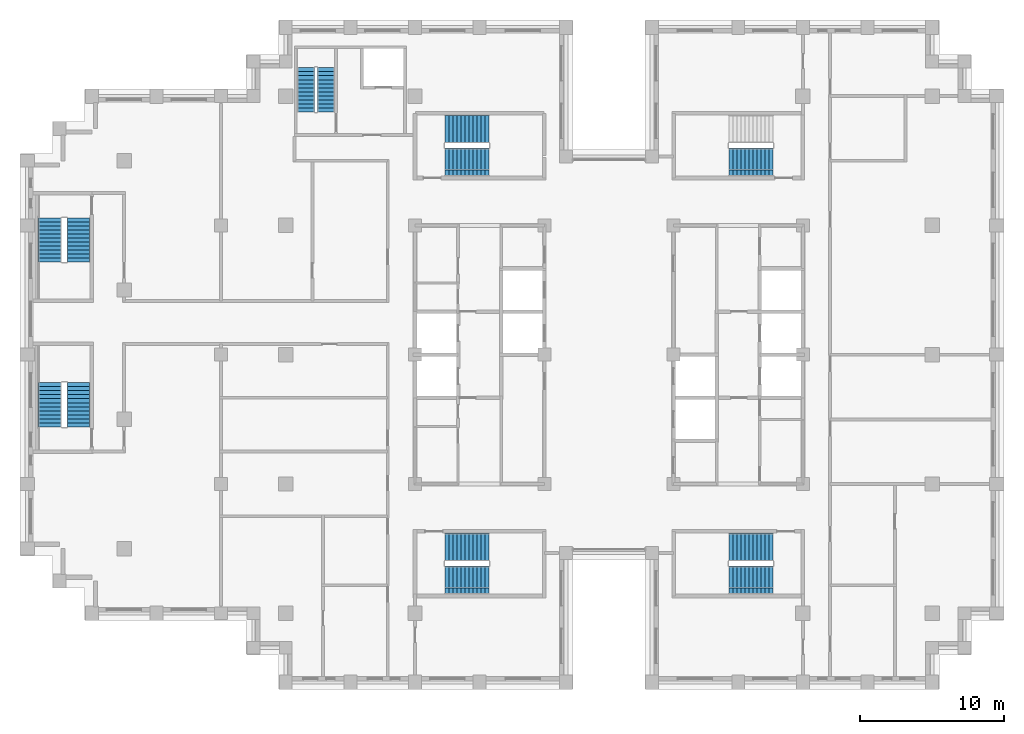
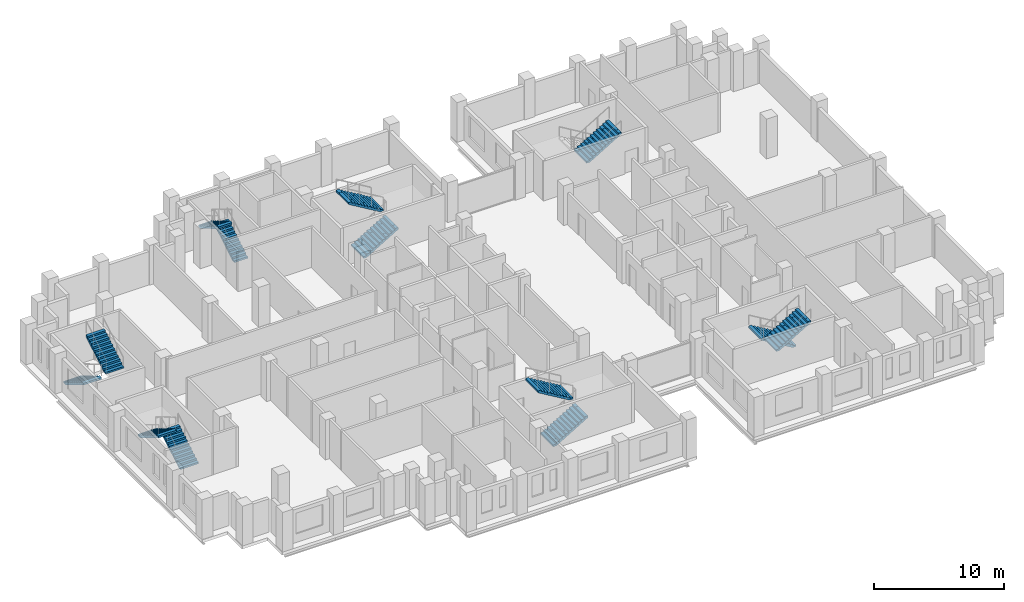
# One storey, part 12 of 15: 13 stair flights, 7 elements without a shape of their own.
"""IFC4 building model written with IfcOpenShell, lengths in metres."""

from ifc_helpers import new_model, si_unit, direction, frame, origin, place, context, subcontext, project, spatial, polyline, outline, extrude, material, type_object, element, aggregate, save


model = new_model("IFC4")

# Units and contexts
model_context = context("Model", 3, precision=1e-05, world=origin(), true_north=direction((0.0, 1.0)))
body_context = subcontext(model_context, "Body", "Model", "MODEL_VIEW")
ifc_project = project(units=[si_unit("LENGTHUNIT", "METRE"), si_unit("AREAUNIT", "SQUARE_METRE"), si_unit("VOLUMEUNIT", "CUBIC_METRE"), si_unit("PLANEANGLEUNIT", "RADIAN"), si_unit("MASSUNIT", "GRAM", prefix="KILO")], contexts=[model_context])

# Site, building, storey
site_placement = place(None, origin())
site = spatial("IfcSite", under=ifc_project, at=site_placement, CompositionType="ELEMENT")
building_placement = place(site_placement, origin())
building = spatial("IfcBuilding", under=site, at=building_placement, Name="Corbelhall Arena Tower", CompositionType="ELEMENT")
storey_placement = place(building_placement, frame((0.0, 0.0, 212.0)))
storey = spatial("IfcBuildingStorey", under=building, at=storey_placement, Name="L44", CompositionType="ELEMENT", Elevation=212.0)

# Stair, stair flights
ifc_material = material(Name="Concrete C40/50", Category="concrete")
stair_type = type_object("IfcStairType", Name="IN-ST-TOWER", PredefinedType="HALF_TURN_STAIR", material=ifc_material)
stair_1_placement = place(storey_placement, origin())
stair_1 = element("IfcStair", 1, at=stair_1_placement, inside=storey, type_object=stair_type, Name="L44 Exit stair ST1", PredefinedType="HALF_TURN_STAIR")
stair_flight_type = type_object("IfcStairFlightType", Name="IN-SFL-RC", PredefinedType="STRAIGHT", material=ifc_material)
stair_flight_1_placement = place(storey_placement, frame((-11.425048828125, 13.39990234375, 0.0), z_axis=(0.0, 0.0, 1.0), x_axis=(1.0, 0.0, 0.0)))
stair_flight_1 = element("IfcStairFlight", 2, at=stair_flight_1_placement, type_object=stair_flight_type, Name="ST1 flight 1", NumberOfRisers=12, NumberOfTreads=11, PredefinedType="STRAIGHT", RiserHeight=0.166666667, TreadLength=0.28, context=body_context, shape_type="SweptSolid", body=[
    extrude(outline(polyline([(0.0, 0.0), (0.0, 0.166748046875), (0.280029296875, 0.166748046875), (0.280029296875, 0.333251953125), (0.56005859375, 0.333251953125), (0.56005859375, 0.5), (0.840087890625, 0.5), (0.840087890625, 0.666748046875), (1.1201171875, 0.666748046875), (1.1201171875, 0.833251953125), (1.39990234375, 0.833251953125), (1.39990234375, 1.0), (1.679931640625, 1.0), (1.679931640625, 1.166748046875), (1.9599609375, 1.166748046875), (1.9599609375, 1.333251953125), (2.239990234375, 1.333251953125), (2.239990234375, 1.5), (2.52001953125, 1.5), (2.52001953125, 1.666748046875), (2.800048828125, 1.666748046875), (2.800048828125, 1.833251953125), (3.080078125, 1.833251953125), (3.080078125, 2.0), (3.080078125, 1.658935546875), (0.29296875, 0.0), (0.0, 0.0)])), frame((0.0, 0.97509765625, 0.0), z_axis=(0.0, -1.0, 0.0), x_axis=(1.0, 0.0, 0.0)), (0.0, 0.0, 1.0), 0.449951171875),
    extrude(outline(polyline([(0.0, 0.0), (0.0, 0.166748046875), (0.280029296875, 0.166748046875), (0.280029296875, 0.333251953125), (0.56005859375, 0.333251953125), (0.56005859375, 0.5), (0.840087890625, 0.5), (0.840087890625, 0.666748046875), (1.1201171875, 0.666748046875), (1.1201171875, 0.833251953125), (1.39990234375, 0.833251953125), (1.39990234375, 1.0), (1.679931640625, 1.0), (1.679931640625, 1.166748046875), (1.9599609375, 1.166748046875), (1.9599609375, 1.333251953125), (2.239990234375, 1.333251953125), (2.239990234375, 1.5), (2.52001953125, 1.5), (2.52001953125, 1.666748046875), (2.800048828125, 1.666748046875), (2.800048828125, 1.833251953125), (3.080078125, 1.833251953125), (3.080078125, 2.0), (3.080078125, 1.658935546875), (0.29296875, 0.0), (0.0, 0.0)])), frame((0.0, 0.52099609375, 0.0), z_axis=(0.0, -1.0, 0.0), x_axis=(1.0, 0.0, 0.0)), (0.0, 0.0, 1.0), 1.0419921875),
    extrude(outline(polyline([(0.0, 0.0), (0.0, 0.166748046875), (0.280029296875, 0.166748046875), (0.280029296875, 0.333251953125), (0.56005859375, 0.333251953125), (0.56005859375, 0.5), (0.840087890625, 0.5), (0.840087890625, 0.666748046875), (1.1201171875, 0.666748046875), (1.1201171875, 0.833251953125), (1.39990234375, 0.833251953125), (1.39990234375, 1.0), (1.679931640625, 1.0), (1.679931640625, 1.166748046875), (1.9599609375, 1.166748046875), (1.9599609375, 1.333251953125), (2.239990234375, 1.333251953125), (2.239990234375, 1.5), (2.52001953125, 1.5), (2.52001953125, 1.666748046875), (2.800048828125, 1.666748046875), (2.800048828125, 1.833251953125), (3.080078125, 1.833251953125), (3.080078125, 2.0), (3.080078125, 1.658935546875), (0.29296875, 0.0), (0.0, 0.0)])), frame((0.0, -0.52490234375, 0.0), z_axis=(0.0, -1.0, 0.0), x_axis=(1.0, 0.0, 0.0)), (0.0, 0.0, 1.0), 0.449951171875),
])
stair_flight_2_placement = place(storey_placement, frame((-8.344970703125, 15.699951171875, 2.0), z_axis=(0.0, 0.0, 1.0), x_axis=(-1.0, 0.0, 0.0)))
stair_flight_2 = element("IfcStairFlight", 3, at=stair_flight_2_placement, type_object=stair_flight_type, Name="ST1 flight 2", NumberOfRisers=12, NumberOfTreads=11, PredefinedType="STRAIGHT", RiserHeight=0.166666667, TreadLength=0.28, context=body_context, shape_type="SweptSolid", body=[
    extrude(outline(polyline([(0.0, 0.0), (0.0, 0.166748046875), (0.280029296875, 0.166748046875), (0.280029296875, 0.333251953125), (0.56005859375, 0.333251953125), (0.56005859375, 0.5), (0.840087890625, 0.5), (0.840087890625, 0.666748046875), (1.1201171875, 0.666748046875), (1.1201171875, 0.833251953125), (1.39990234375, 0.833251953125), (1.39990234375, 1.0), (1.679931640625, 1.0), (1.679931640625, 1.166748046875), (1.9599609375, 1.166748046875), (1.9599609375, 1.333251953125), (2.239990234375, 1.333251953125), (2.239990234375, 1.5), (2.52001953125, 1.5), (2.52001953125, 1.666748046875), (2.800048828125, 1.666748046875), (2.800048828125, 1.833251953125), (3.080078125, 1.833251953125), (3.080078125, 2.0), (3.080078125, 1.658935546875), (0.29296875, 0.0), (0.0, 0.0)])), frame((0.0, 0.97509765625, 0.0), z_axis=(0.0, -1.0, 0.0), x_axis=(1.0, 0.0, 0.0)), (0.0, 0.0, 1.0), 0.449951171875),
    extrude(outline(polyline([(0.0, 0.0), (0.0, 0.166748046875), (0.280029296875, 0.166748046875), (0.280029296875, 0.333251953125), (0.56005859375, 0.333251953125), (0.56005859375, 0.5), (0.840087890625, 0.5), (0.840087890625, 0.666748046875), (1.1201171875, 0.666748046875), (1.1201171875, 0.833251953125), (1.39990234375, 0.833251953125), (1.39990234375, 1.0), (1.679931640625, 1.0), (1.679931640625, 1.166748046875), (1.9599609375, 1.166748046875), (1.9599609375, 1.333251953125), (2.239990234375, 1.333251953125), (2.239990234375, 1.5), (2.52001953125, 1.5), (2.52001953125, 1.666748046875), (2.800048828125, 1.666748046875), (2.800048828125, 1.833251953125), (3.080078125, 1.833251953125), (3.080078125, 2.0), (3.080078125, 1.658935546875), (0.29296875, 0.0), (0.0, 0.0)])), frame((0.0, 0.52099609375, 0.0), z_axis=(0.0, -1.0, 0.0), x_axis=(1.0, 0.0, 0.0)), (0.0, 0.0, 1.0), 1.0419921875),
    extrude(outline(polyline([(0.0, 0.0), (0.0, 0.166748046875), (0.280029296875, 0.166748046875), (0.280029296875, 0.333251953125), (0.56005859375, 0.333251953125), (0.56005859375, 0.5), (0.840087890625, 0.5), (0.840087890625, 0.666748046875), (1.1201171875, 0.666748046875), (1.1201171875, 0.833251953125), (1.39990234375, 0.833251953125), (1.39990234375, 1.0), (1.679931640625, 1.0), (1.679931640625, 1.166748046875), (1.9599609375, 1.166748046875), (1.9599609375, 1.333251953125), (2.239990234375, 1.333251953125), (2.239990234375, 1.5), (2.52001953125, 1.5), (2.52001953125, 1.666748046875), (2.800048828125, 1.666748046875), (2.800048828125, 1.833251953125), (3.080078125, 1.833251953125), (3.080078125, 2.0), (3.080078125, 1.658935546875), (0.29296875, 0.0), (0.0, 0.0)])), frame((0.0, -0.52490234375, 0.0), z_axis=(0.0, -1.0, 0.0), x_axis=(1.0, 0.0, 0.0)), (0.0, 0.0, 1.0), 0.449951171875),
])
aggregate(stair_1, [stair_flight_1, stair_flight_2])

stair_2_placement = place(storey_placement, origin())
stair_2 = element("IfcStair", 4, at=stair_2_placement, inside=storey, type_object=stair_type, Name="L44 Exit stair ST2", PredefinedType="HALF_TURN_STAIR")
stair_flight_3_placement = place(storey_placement, frame((-11.425048828125, -15.699951171875, 0.0), z_axis=(0.0, 0.0, 1.0), x_axis=(1.0, 0.0, 0.0)))
stair_flight_3 = element("IfcStairFlight", 5, at=stair_flight_3_placement, type_object=stair_flight_type, Name="ST2 flight 1", NumberOfRisers=12, NumberOfTreads=11, PredefinedType="STRAIGHT", RiserHeight=0.166666667, TreadLength=0.28, context=body_context, shape_type="SweptSolid", body=[
    extrude(outline(polyline([(0.0, 0.0), (0.0, 0.166748046875), (0.280029296875, 0.166748046875), (0.280029296875, 0.333251953125), (0.56005859375, 0.333251953125), (0.56005859375, 0.5), (0.840087890625, 0.5), (0.840087890625, 0.666748046875), (1.1201171875, 0.666748046875), (1.1201171875, 0.833251953125), (1.39990234375, 0.833251953125), (1.39990234375, 1.0), (1.679931640625, 1.0), (1.679931640625, 1.166748046875), (1.9599609375, 1.166748046875), (1.9599609375, 1.333251953125), (2.239990234375, 1.333251953125), (2.239990234375, 1.5), (2.52001953125, 1.5), (2.52001953125, 1.666748046875), (2.800048828125, 1.666748046875), (2.800048828125, 1.833251953125), (3.080078125, 1.833251953125), (3.080078125, 2.0), (3.080078125, 1.658935546875), (0.29296875, 0.0), (0.0, 0.0)])), frame((0.0, 0.97509765625, 0.0), z_axis=(0.0, -1.0, 0.0), x_axis=(1.0, 0.0, 0.0)), (0.0, 0.0, 1.0), 0.449951171875),
    extrude(outline(polyline([(0.0, 0.0), (0.0, 0.166748046875), (0.280029296875, 0.166748046875), (0.280029296875, 0.333251953125), (0.56005859375, 0.333251953125), (0.56005859375, 0.5), (0.840087890625, 0.5), (0.840087890625, 0.666748046875), (1.1201171875, 0.666748046875), (1.1201171875, 0.833251953125), (1.39990234375, 0.833251953125), (1.39990234375, 1.0), (1.679931640625, 1.0), (1.679931640625, 1.166748046875), (1.9599609375, 1.166748046875), (1.9599609375, 1.333251953125), (2.239990234375, 1.333251953125), (2.239990234375, 1.5), (2.52001953125, 1.5), (2.52001953125, 1.666748046875), (2.800048828125, 1.666748046875), (2.800048828125, 1.833251953125), (3.080078125, 1.833251953125), (3.080078125, 2.0), (3.080078125, 1.658935546875), (0.29296875, 0.0), (0.0, 0.0)])), frame((0.0, 0.52099609375, 0.0), z_axis=(0.0, -1.0, 0.0), x_axis=(1.0, 0.0, 0.0)), (0.0, 0.0, 1.0), 1.0419921875),
    extrude(outline(polyline([(0.0, 0.0), (0.0, 0.166748046875), (0.280029296875, 0.166748046875), (0.280029296875, 0.333251953125), (0.56005859375, 0.333251953125), (0.56005859375, 0.5), (0.840087890625, 0.5), (0.840087890625, 0.666748046875), (1.1201171875, 0.666748046875), (1.1201171875, 0.833251953125), (1.39990234375, 0.833251953125), (1.39990234375, 1.0), (1.679931640625, 1.0), (1.679931640625, 1.166748046875), (1.9599609375, 1.166748046875), (1.9599609375, 1.333251953125), (2.239990234375, 1.333251953125), (2.239990234375, 1.5), (2.52001953125, 1.5), (2.52001953125, 1.666748046875), (2.800048828125, 1.666748046875), (2.800048828125, 1.833251953125), (3.080078125, 1.833251953125), (3.080078125, 2.0), (3.080078125, 1.658935546875), (0.29296875, 0.0), (0.0, 0.0)])), frame((0.0, -0.52490234375, 0.0), z_axis=(0.0, -1.0, 0.0), x_axis=(1.0, 0.0, 0.0)), (0.0, 0.0, 1.0), 0.449951171875),
])
stair_flight_4_placement = place(storey_placement, frame((-8.344970703125, -13.39990234375, 2.0), z_axis=(0.0, 0.0, 1.0), x_axis=(-1.0, 0.0, 0.0)))
stair_flight_4 = element("IfcStairFlight", 6, at=stair_flight_4_placement, type_object=stair_flight_type, Name="ST2 flight 2", NumberOfRisers=12, NumberOfTreads=11, PredefinedType="STRAIGHT", RiserHeight=0.166666667, TreadLength=0.28, context=body_context, shape_type="SweptSolid", body=[
    extrude(outline(polyline([(0.0, 0.0), (0.0, 0.166748046875), (0.280029296875, 0.166748046875), (0.280029296875, 0.333251953125), (0.56005859375, 0.333251953125), (0.56005859375, 0.5), (0.840087890625, 0.5), (0.840087890625, 0.666748046875), (1.1201171875, 0.666748046875), (1.1201171875, 0.833251953125), (1.39990234375, 0.833251953125), (1.39990234375, 1.0), (1.679931640625, 1.0), (1.679931640625, 1.166748046875), (1.9599609375, 1.166748046875), (1.9599609375, 1.333251953125), (2.239990234375, 1.333251953125), (2.239990234375, 1.5), (2.52001953125, 1.5), (2.52001953125, 1.666748046875), (2.800048828125, 1.666748046875), (2.800048828125, 1.833251953125), (3.080078125, 1.833251953125), (3.080078125, 2.0), (3.080078125, 1.658935546875), (0.29296875, 0.0), (0.0, 0.0)])), frame((0.0, 0.97509765625, 0.0), z_axis=(0.0, -1.0, 0.0), x_axis=(1.0, 0.0, 0.0)), (0.0, 0.0, 1.0), 0.449951171875),
    extrude(outline(polyline([(0.0, 0.0), (0.0, 0.166748046875), (0.280029296875, 0.166748046875), (0.280029296875, 0.333251953125), (0.56005859375, 0.333251953125), (0.56005859375, 0.5), (0.840087890625, 0.5), (0.840087890625, 0.666748046875), (1.1201171875, 0.666748046875), (1.1201171875, 0.833251953125), (1.39990234375, 0.833251953125), (1.39990234375, 1.0), (1.679931640625, 1.0), (1.679931640625, 1.166748046875), (1.9599609375, 1.166748046875), (1.9599609375, 1.333251953125), (2.239990234375, 1.333251953125), (2.239990234375, 1.5), (2.52001953125, 1.5), (2.52001953125, 1.666748046875), (2.800048828125, 1.666748046875), (2.800048828125, 1.833251953125), (3.080078125, 1.833251953125), (3.080078125, 2.0), (3.080078125, 1.658935546875), (0.29296875, 0.0), (0.0, 0.0)])), frame((0.0, 0.52099609375, 0.0), z_axis=(0.0, -1.0, 0.0), x_axis=(1.0, 0.0, 0.0)), (0.0, 0.0, 1.0), 1.0419921875),
    extrude(outline(polyline([(0.0, 0.0), (0.0, 0.166748046875), (0.280029296875, 0.166748046875), (0.280029296875, 0.333251953125), (0.56005859375, 0.333251953125), (0.56005859375, 0.5), (0.840087890625, 0.5), (0.840087890625, 0.666748046875), (1.1201171875, 0.666748046875), (1.1201171875, 0.833251953125), (1.39990234375, 0.833251953125), (1.39990234375, 1.0), (1.679931640625, 1.0), (1.679931640625, 1.166748046875), (1.9599609375, 1.166748046875), (1.9599609375, 1.333251953125), (2.239990234375, 1.333251953125), (2.239990234375, 1.5), (2.52001953125, 1.5), (2.52001953125, 1.666748046875), (2.800048828125, 1.666748046875), (2.800048828125, 1.833251953125), (3.080078125, 1.833251953125), (3.080078125, 2.0), (3.080078125, 1.658935546875), (0.29296875, 0.0), (0.0, 0.0)])), frame((0.0, -0.52490234375, 0.0), z_axis=(0.0, -1.0, 0.0), x_axis=(1.0, 0.0, 0.0)), (0.0, 0.0, 1.0), 0.449951171875),
])
aggregate(stair_2, [stair_flight_3, stair_flight_4])

# Stair, stair flight
stair_3_placement = place(storey_placement, origin())
stair_3 = element("IfcStair", 7, at=stair_3_placement, inside=storey, type_object=stair_type, Name="L44 Exit stair ST3", PredefinedType="HALF_TURN_STAIR")
stair_flight_5_placement = place(storey_placement, frame((8.344970703125, 13.39990234375, 2.0), z_axis=(0.0, 0.0, 1.0), x_axis=(1.0, 0.0, 0.0)))
stair_flight_5 = element("IfcStairFlight", 8, at=stair_flight_5_placement, type_object=stair_flight_type, Name="ST3 flight 2", NumberOfRisers=12, NumberOfTreads=11, PredefinedType="STRAIGHT", RiserHeight=0.166666667, TreadLength=0.28, context=body_context, shape_type="SweptSolid", body=[
    extrude(outline(polyline([(0.0, 0.0), (0.0, 0.166748046875), (0.280029296875, 0.166748046875), (0.280029296875, 0.333251953125), (0.56005859375, 0.333251953125), (0.56005859375, 0.5), (0.840087890625, 0.5), (0.840087890625, 0.666748046875), (1.1201171875, 0.666748046875), (1.1201171875, 0.833251953125), (1.39990234375, 0.833251953125), (1.39990234375, 1.0), (1.679931640625, 1.0), (1.679931640625, 1.166748046875), (1.9599609375, 1.166748046875), (1.9599609375, 1.333251953125), (2.239990234375, 1.333251953125), (2.239990234375, 1.5), (2.52001953125, 1.5), (2.52001953125, 1.666748046875), (2.800048828125, 1.666748046875), (2.800048828125, 1.833251953125), (3.080078125, 1.833251953125), (3.080078125, 2.0), (3.080078125, 1.658935546875), (0.29296875, 0.0), (0.0, 0.0)])), frame((0.0, 0.97509765625, 0.0), z_axis=(0.0, -1.0, 0.0), x_axis=(1.0, 0.0, 0.0)), (0.0, 0.0, 1.0), 0.449951171875),
    extrude(outline(polyline([(0.0, 0.0), (0.0, 0.166748046875), (0.280029296875, 0.166748046875), (0.280029296875, 0.333251953125), (0.56005859375, 0.333251953125), (0.56005859375, 0.5), (0.840087890625, 0.5), (0.840087890625, 0.666748046875), (1.1201171875, 0.666748046875), (1.1201171875, 0.833251953125), (1.39990234375, 0.833251953125), (1.39990234375, 1.0), (1.679931640625, 1.0), (1.679931640625, 1.166748046875), (1.9599609375, 1.166748046875), (1.9599609375, 1.333251953125), (2.239990234375, 1.333251953125), (2.239990234375, 1.5), (2.52001953125, 1.5), (2.52001953125, 1.666748046875), (2.800048828125, 1.666748046875), (2.800048828125, 1.833251953125), (3.080078125, 1.833251953125), (3.080078125, 2.0), (3.080078125, 1.658935546875), (0.29296875, 0.0), (0.0, 0.0)])), frame((0.0, 0.52099609375, 0.0), z_axis=(0.0, -1.0, 0.0), x_axis=(1.0, 0.0, 0.0)), (0.0, 0.0, 1.0), 1.0419921875),
    extrude(outline(polyline([(0.0, 0.0), (0.0, 0.166748046875), (0.280029296875, 0.166748046875), (0.280029296875, 0.333251953125), (0.56005859375, 0.333251953125), (0.56005859375, 0.5), (0.840087890625, 0.5), (0.840087890625, 0.666748046875), (1.1201171875, 0.666748046875), (1.1201171875, 0.833251953125), (1.39990234375, 0.833251953125), (1.39990234375, 1.0), (1.679931640625, 1.0), (1.679931640625, 1.166748046875), (1.9599609375, 1.166748046875), (1.9599609375, 1.333251953125), (2.239990234375, 1.333251953125), (2.239990234375, 1.5), (2.52001953125, 1.5), (2.52001953125, 1.666748046875), (2.800048828125, 1.666748046875), (2.800048828125, 1.833251953125), (3.080078125, 1.833251953125), (3.080078125, 2.0), (3.080078125, 1.658935546875), (0.29296875, 0.0), (0.0, 0.0)])), frame((0.0, -0.52490234375, 0.0), z_axis=(0.0, -1.0, 0.0), x_axis=(1.0, 0.0, 0.0)), (0.0, 0.0, 1.0), 0.449951171875),
])
aggregate(stair_3, [stair_flight_5])

# Stair, stair flights
stair_4_placement = place(storey_placement, origin())
stair_4 = element("IfcStair", 9, at=stair_4_placement, inside=storey, type_object=stair_type, Name="L44 Exit stair ST4", PredefinedType="HALF_TURN_STAIR")
stair_flight_6_placement = place(storey_placement, frame((11.425048828125, -13.39990234375, 0.0), z_axis=(0.0, 0.0, 1.0), x_axis=(-1.0, 0.0, 0.0)))
stair_flight_6 = element("IfcStairFlight", 10, at=stair_flight_6_placement, type_object=stair_flight_type, Name="ST4 flight 1", NumberOfRisers=12, NumberOfTreads=11, PredefinedType="STRAIGHT", RiserHeight=0.166666667, TreadLength=0.28, context=body_context, shape_type="SweptSolid", body=[
    extrude(outline(polyline([(0.0, 0.0), (0.0, 0.166748046875), (0.280029296875, 0.166748046875), (0.280029296875, 0.333251953125), (0.56005859375, 0.333251953125), (0.56005859375, 0.5), (0.840087890625, 0.5), (0.840087890625, 0.666748046875), (1.1201171875, 0.666748046875), (1.1201171875, 0.833251953125), (1.39990234375, 0.833251953125), (1.39990234375, 1.0), (1.679931640625, 1.0), (1.679931640625, 1.166748046875), (1.9599609375, 1.166748046875), (1.9599609375, 1.333251953125), (2.239990234375, 1.333251953125), (2.239990234375, 1.5), (2.52001953125, 1.5), (2.52001953125, 1.666748046875), (2.800048828125, 1.666748046875), (2.800048828125, 1.833251953125), (3.080078125, 1.833251953125), (3.080078125, 2.0), (3.080078125, 1.658935546875), (0.29296875, 0.0), (0.0, 0.0)])), frame((0.0, 0.97509765625, 0.0), z_axis=(0.0, -1.0, 0.0), x_axis=(1.0, 0.0, 0.0)), (0.0, 0.0, 1.0), 0.449951171875),
    extrude(outline(polyline([(0.0, 0.0), (0.0, 0.166748046875), (0.280029296875, 0.166748046875), (0.280029296875, 0.333251953125), (0.56005859375, 0.333251953125), (0.56005859375, 0.5), (0.840087890625, 0.5), (0.840087890625, 0.666748046875), (1.1201171875, 0.666748046875), (1.1201171875, 0.833251953125), (1.39990234375, 0.833251953125), (1.39990234375, 1.0), (1.679931640625, 1.0), (1.679931640625, 1.166748046875), (1.9599609375, 1.166748046875), (1.9599609375, 1.333251953125), (2.239990234375, 1.333251953125), (2.239990234375, 1.5), (2.52001953125, 1.5), (2.52001953125, 1.666748046875), (2.800048828125, 1.666748046875), (2.800048828125, 1.833251953125), (3.080078125, 1.833251953125), (3.080078125, 2.0), (3.080078125, 1.658935546875), (0.29296875, 0.0), (0.0, 0.0)])), frame((0.0, 0.52099609375, 0.0), z_axis=(0.0, -1.0, 0.0), x_axis=(1.0, 0.0, 0.0)), (0.0, 0.0, 1.0), 1.0419921875),
    extrude(outline(polyline([(0.0, 0.0), (0.0, 0.166748046875), (0.280029296875, 0.166748046875), (0.280029296875, 0.333251953125), (0.56005859375, 0.333251953125), (0.56005859375, 0.5), (0.840087890625, 0.5), (0.840087890625, 0.666748046875), (1.1201171875, 0.666748046875), (1.1201171875, 0.833251953125), (1.39990234375, 0.833251953125), (1.39990234375, 1.0), (1.679931640625, 1.0), (1.679931640625, 1.166748046875), (1.9599609375, 1.166748046875), (1.9599609375, 1.333251953125), (2.239990234375, 1.333251953125), (2.239990234375, 1.5), (2.52001953125, 1.5), (2.52001953125, 1.666748046875), (2.800048828125, 1.666748046875), (2.800048828125, 1.833251953125), (3.080078125, 1.833251953125), (3.080078125, 2.0), (3.080078125, 1.658935546875), (0.29296875, 0.0), (0.0, 0.0)])), frame((0.0, -0.52490234375, 0.0), z_axis=(0.0, -1.0, 0.0), x_axis=(1.0, 0.0, 0.0)), (0.0, 0.0, 1.0), 0.449951171875),
])
stair_flight_7_placement = place(storey_placement, frame((8.344970703125, -15.699951171875, 2.0), z_axis=(0.0, 0.0, 1.0), x_axis=(1.0, 0.0, 0.0)))
stair_flight_7 = element("IfcStairFlight", 11, at=stair_flight_7_placement, type_object=stair_flight_type, Name="ST4 flight 2", NumberOfRisers=12, NumberOfTreads=11, PredefinedType="STRAIGHT", RiserHeight=0.166666667, TreadLength=0.28, context=body_context, shape_type="SweptSolid", body=[
    extrude(outline(polyline([(0.0, 0.0), (0.0, 0.166748046875), (0.280029296875, 0.166748046875), (0.280029296875, 0.333251953125), (0.56005859375, 0.333251953125), (0.56005859375, 0.5), (0.840087890625, 0.5), (0.840087890625, 0.666748046875), (1.1201171875, 0.666748046875), (1.1201171875, 0.833251953125), (1.39990234375, 0.833251953125), (1.39990234375, 1.0), (1.679931640625, 1.0), (1.679931640625, 1.166748046875), (1.9599609375, 1.166748046875), (1.9599609375, 1.333251953125), (2.239990234375, 1.333251953125), (2.239990234375, 1.5), (2.52001953125, 1.5), (2.52001953125, 1.666748046875), (2.800048828125, 1.666748046875), (2.800048828125, 1.833251953125), (3.080078125, 1.833251953125), (3.080078125, 2.0), (3.080078125, 1.658935546875), (0.29296875, 0.0), (0.0, 0.0)])), frame((0.0, 0.97509765625, 0.0), z_axis=(0.0, -1.0, 0.0), x_axis=(1.0, 0.0, 0.0)), (0.0, 0.0, 1.0), 0.449951171875),
    extrude(outline(polyline([(0.0, 0.0), (0.0, 0.166748046875), (0.280029296875, 0.166748046875), (0.280029296875, 0.333251953125), (0.56005859375, 0.333251953125), (0.56005859375, 0.5), (0.840087890625, 0.5), (0.840087890625, 0.666748046875), (1.1201171875, 0.666748046875), (1.1201171875, 0.833251953125), (1.39990234375, 0.833251953125), (1.39990234375, 1.0), (1.679931640625, 1.0), (1.679931640625, 1.166748046875), (1.9599609375, 1.166748046875), (1.9599609375, 1.333251953125), (2.239990234375, 1.333251953125), (2.239990234375, 1.5), (2.52001953125, 1.5), (2.52001953125, 1.666748046875), (2.800048828125, 1.666748046875), (2.800048828125, 1.833251953125), (3.080078125, 1.833251953125), (3.080078125, 2.0), (3.080078125, 1.658935546875), (0.29296875, 0.0), (0.0, 0.0)])), frame((0.0, 0.52099609375, 0.0), z_axis=(0.0, -1.0, 0.0), x_axis=(1.0, 0.0, 0.0)), (0.0, 0.0, 1.0), 1.0419921875),
    extrude(outline(polyline([(0.0, 0.0), (0.0, 0.166748046875), (0.280029296875, 0.166748046875), (0.280029296875, 0.333251953125), (0.56005859375, 0.333251953125), (0.56005859375, 0.5), (0.840087890625, 0.5), (0.840087890625, 0.666748046875), (1.1201171875, 0.666748046875), (1.1201171875, 0.833251953125), (1.39990234375, 0.833251953125), (1.39990234375, 1.0), (1.679931640625, 1.0), (1.679931640625, 1.166748046875), (1.9599609375, 1.166748046875), (1.9599609375, 1.333251953125), (2.239990234375, 1.333251953125), (2.239990234375, 1.5), (2.52001953125, 1.5), (2.52001953125, 1.666748046875), (2.800048828125, 1.666748046875), (2.800048828125, 1.833251953125), (3.080078125, 1.833251953125), (3.080078125, 2.0), (3.080078125, 1.658935546875), (0.29296875, 0.0), (0.0, 0.0)])), frame((0.0, -0.52490234375, 0.0), z_axis=(0.0, -1.0, 0.0), x_axis=(1.0, 0.0, 0.0)), (0.0, 0.0, 1.0), 0.449951171875),
])
aggregate(stair_4, [stair_flight_6, stair_flight_7])

stair_5_placement = place(storey_placement, origin())
stair_5 = element("IfcStair", 12, at=stair_5_placement, inside=storey, type_object=stair_type, Name="L44 Exit stair SC1", PredefinedType="HALF_TURN_STAIR")
stair_flight_8_placement = place(storey_placement, frame((-38.89990234375, 9.52490234375, 0.0), z_axis=(0.0, 0.0, 1.0), x_axis=(0.0, -1.0, 0.0)))
stair_flight_8 = element("IfcStairFlight", 13, at=stair_flight_8_placement, type_object=stair_flight_type, Name="SC1 flight 1", NumberOfRisers=12, NumberOfTreads=11, PredefinedType="STRAIGHT", RiserHeight=0.166666667, TreadLength=0.28, context=body_context, shape_type="SweptSolid", body=[
    extrude(outline(polyline([(0.0, 0.0), (0.0, 0.166748046875), (0.280029296875, 0.166748046875), (0.280029296875, 0.333251953125), (0.56005859375, 0.333251953125), (0.56005859375, 0.5), (0.840087890625, 0.5), (0.840087890625, 0.666748046875), (1.1201171875, 0.666748046875), (1.1201171875, 0.833251953125), (1.39990234375, 0.833251953125), (1.39990234375, 1.0), (1.679931640625, 1.0), (1.679931640625, 1.166748046875), (1.9599609375, 1.166748046875), (1.9599609375, 1.333251953125), (2.239990234375, 1.333251953125), (2.239990234375, 1.5), (2.52001953125, 1.5), (2.52001953125, 1.666748046875), (2.800048828125, 1.666748046875), (2.800048828125, 1.833251953125), (3.080078125, 1.833251953125), (3.080078125, 2.0), (3.080078125, 1.658935546875), (0.29296875, 0.0), (0.0, 0.0)])), frame((0.0, 0.800048828125, 0.0), z_axis=(0.0, -1.0, 0.0), x_axis=(1.0, 0.0, 0.0)), (0.0, 0.0, 1.0), 1.60009765625),
])
stair_flight_9_placement = place(storey_placement, frame((-36.925048828125, 6.445068359375, 2.0), z_axis=(0.0, 0.0, 1.0), x_axis=(0.0, 1.0, 0.0)))
stair_flight_9 = element("IfcStairFlight", 14, at=stair_flight_9_placement, type_object=stair_flight_type, Name="SC1 flight 2", NumberOfRisers=12, NumberOfTreads=11, PredefinedType="STRAIGHT", RiserHeight=0.166666667, TreadLength=0.28, context=body_context, shape_type="SweptSolid", body=[
    extrude(outline(polyline([(0.0, 0.0), (0.0, 0.166748046875), (0.280029296875, 0.166748046875), (0.280029296875, 0.333251953125), (0.56005859375, 0.333251953125), (0.56005859375, 0.5), (0.840087890625, 0.5), (0.840087890625, 0.666748046875), (1.1201171875, 0.666748046875), (1.1201171875, 0.833251953125), (1.39990234375, 0.833251953125), (1.39990234375, 1.0), (1.679931640625, 1.0), (1.679931640625, 1.166748046875), (1.9599609375, 1.166748046875), (1.9599609375, 1.333251953125), (2.239990234375, 1.333251953125), (2.239990234375, 1.5), (2.52001953125, 1.5), (2.52001953125, 1.666748046875), (2.800048828125, 1.666748046875), (2.800048828125, 1.833251953125), (3.080078125, 1.833251953125), (3.080078125, 2.0), (3.080078125, 1.658935546875), (0.29296875, 0.0), (0.0, 0.0)])), frame((0.0, 0.800048828125, 0.0), z_axis=(0.0, -1.0, 0.0), x_axis=(1.0, 0.0, 0.0)), (0.0, 0.0, 1.0), 1.60009765625),
])
aggregate(stair_5, [stair_flight_8, stair_flight_9])

stair_6_placement = place(storey_placement, origin())
stair_6 = element("IfcStair", 15, at=stair_6_placement, inside=storey, type_object=stair_type, Name="L44 Exit stair SC2", PredefinedType="HALF_TURN_STAIR")
stair_flight_10_placement = place(storey_placement, frame((-36.925048828125, -5.02490234375, 0.0), z_axis=(0.0, 0.0, 1.0), x_axis=(0.0, 1.0, 0.0)))
stair_flight_10 = element("IfcStairFlight", 16, at=stair_flight_10_placement, type_object=stair_flight_type, Name="SC2 flight 1", NumberOfRisers=12, NumberOfTreads=11, PredefinedType="STRAIGHT", RiserHeight=0.166666667, TreadLength=0.28, context=body_context, shape_type="SweptSolid", body=[
    extrude(outline(polyline([(0.0, 0.0), (0.0, 0.166748046875), (0.280029296875, 0.166748046875), (0.280029296875, 0.333251953125), (0.56005859375, 0.333251953125), (0.56005859375, 0.5), (0.840087890625, 0.5), (0.840087890625, 0.666748046875), (1.1201171875, 0.666748046875), (1.1201171875, 0.833251953125), (1.39990234375, 0.833251953125), (1.39990234375, 1.0), (1.679931640625, 1.0), (1.679931640625, 1.166748046875), (1.9599609375, 1.166748046875), (1.9599609375, 1.333251953125), (2.239990234375, 1.333251953125), (2.239990234375, 1.5), (2.52001953125, 1.5), (2.52001953125, 1.666748046875), (2.800048828125, 1.666748046875), (2.800048828125, 1.833251953125), (3.080078125, 1.833251953125), (3.080078125, 2.0), (3.080078125, 1.658935546875), (0.29296875, 0.0), (0.0, 0.0)])), frame((0.0, 0.800048828125, 0.0), z_axis=(0.0, -1.0, 0.0), x_axis=(1.0, 0.0, 0.0)), (0.0, 0.0, 1.0), 1.60009765625),
])
stair_flight_11_placement = place(storey_placement, frame((-38.89990234375, -1.945068359375, 2.0), z_axis=(0.0, 0.0, 1.0), x_axis=(0.0, -1.0, 0.0)))
stair_flight_11 = element("IfcStairFlight", 17, at=stair_flight_11_placement, type_object=stair_flight_type, Name="SC2 flight 2", NumberOfRisers=12, NumberOfTreads=11, PredefinedType="STRAIGHT", RiserHeight=0.166666667, TreadLength=0.28, context=body_context, shape_type="SweptSolid", body=[
    extrude(outline(polyline([(0.0, 0.0), (0.0, 0.166748046875), (0.280029296875, 0.166748046875), (0.280029296875, 0.333251953125), (0.56005859375, 0.333251953125), (0.56005859375, 0.5), (0.840087890625, 0.5), (0.840087890625, 0.666748046875), (1.1201171875, 0.666748046875), (1.1201171875, 0.833251953125), (1.39990234375, 0.833251953125), (1.39990234375, 1.0), (1.679931640625, 1.0), (1.679931640625, 1.166748046875), (1.9599609375, 1.166748046875), (1.9599609375, 1.333251953125), (2.239990234375, 1.333251953125), (2.239990234375, 1.5), (2.52001953125, 1.5), (2.52001953125, 1.666748046875), (2.800048828125, 1.666748046875), (2.800048828125, 1.833251953125), (3.080078125, 1.833251953125), (3.080078125, 2.0), (3.080078125, 1.658935546875), (0.29296875, 0.0), (0.0, 0.0)])), frame((0.0, 0.800048828125, 0.0), z_axis=(0.0, -1.0, 0.0), x_axis=(1.0, 0.0, 0.0)), (0.0, 0.0, 1.0), 1.60009765625),
])
aggregate(stair_6, [stair_flight_10, stair_flight_11])

stair_7_placement = place(storey_placement, origin())
stair_7 = element("IfcStair", 18, at=stair_7_placement, inside=storey, type_object=stair_type, Name="L44 Exit stair ST5", PredefinedType="HALF_TURN_STAIR")
stair_flight_12_placement = place(storey_placement, frame((-19.695068359375, 16.89990234375, 0.0), z_axis=(0.0, 0.0, 1.0), x_axis=(0.0, 1.0, 0.0)))
stair_flight_12 = element("IfcStairFlight", 19, at=stair_flight_12_placement, type_object=stair_flight_type, Name="ST5 flight 1", NumberOfRisers=12, NumberOfTreads=11, PredefinedType="STRAIGHT", RiserHeight=0.166666667, TreadLength=0.28, context=body_context, shape_type="SweptSolid", body=[
    extrude(outline(polyline([(0.0, 0.0), (0.0, 0.166748046875), (0.280029296875, 0.166748046875), (0.280029296875, 0.333251953125), (0.56005859375, 0.333251953125), (0.56005859375, 0.5), (0.840087890625, 0.5), (0.840087890625, 0.666748046875), (1.1201171875, 0.666748046875), (1.1201171875, 0.833251953125), (1.39990234375, 0.833251953125), (1.39990234375, 1.0), (1.679931640625, 1.0), (1.679931640625, 1.166748046875), (1.9599609375, 1.166748046875), (1.9599609375, 1.333251953125), (2.239990234375, 1.333251953125), (2.239990234375, 1.5), (2.52001953125, 1.5), (2.52001953125, 1.666748046875), (2.800048828125, 1.666748046875), (2.800048828125, 1.833251953125), (3.080078125, 1.833251953125), (3.080078125, 2.0), (3.080078125, 1.658935546875), (0.29296875, 0.0), (0.0, 0.0)])), frame((0.0, 0.60009765625, 0.0), z_axis=(0.0, -1.0, 0.0), x_axis=(1.0, 0.0, 0.0)), (0.0, 0.0, 1.0), 1.199951171875),
])
stair_flight_13_placement = place(storey_placement, frame((-21.094970703125, 19.97998046875, 2.0), z_axis=(0.0, 0.0, 1.0), x_axis=(0.0, -1.0, 0.0)))
stair_flight_13 = element("IfcStairFlight", 20, at=stair_flight_13_placement, type_object=stair_flight_type, Name="ST5 flight 2", NumberOfRisers=12, NumberOfTreads=11, PredefinedType="STRAIGHT", RiserHeight=0.166666667, TreadLength=0.28, context=body_context, shape_type="SweptSolid", body=[
    extrude(outline(polyline([(0.0, 0.0), (0.0, 0.166748046875), (0.280029296875, 0.166748046875), (0.280029296875, 0.333251953125), (0.56005859375, 0.333251953125), (0.56005859375, 0.5), (0.840087890625, 0.5), (0.840087890625, 0.666748046875), (1.1201171875, 0.666748046875), (1.1201171875, 0.833251953125), (1.39990234375, 0.833251953125), (1.39990234375, 1.0), (1.679931640625, 1.0), (1.679931640625, 1.166748046875), (1.9599609375, 1.166748046875), (1.9599609375, 1.333251953125), (2.239990234375, 1.333251953125), (2.239990234375, 1.5), (2.52001953125, 1.5), (2.52001953125, 1.666748046875), (2.800048828125, 1.666748046875), (2.800048828125, 1.833251953125), (3.080078125, 1.833251953125), (3.080078125, 2.0), (3.080078125, 1.658935546875), (0.29296875, 0.0), (0.0, 0.0)])), frame((0.0, 0.60009765625, 0.0), z_axis=(0.0, -1.0, 0.0), x_axis=(1.0, 0.0, 0.0)), (0.0, 0.0, 1.0), 1.199951171875),
])
aggregate(stair_7, [stair_flight_12, stair_flight_13])

save(model, "model.ifc")
